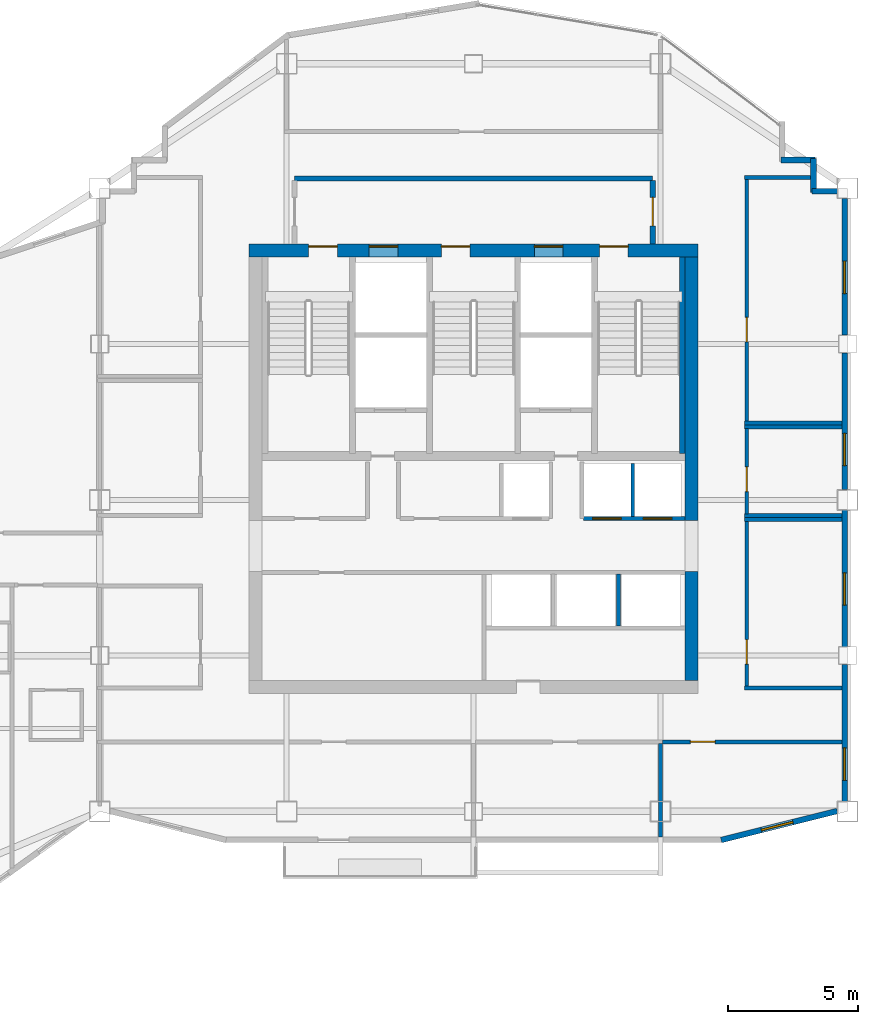
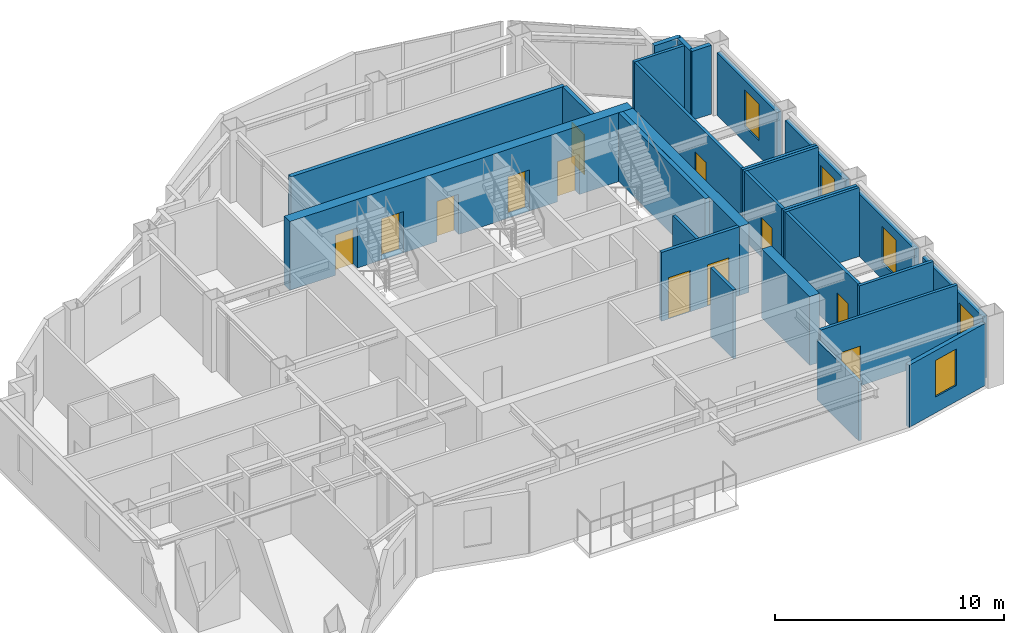
# One storey, part 7 of 10: 28 walls, 12 doors, 5 windows, 17 openings.
"""IFC4 building model written with IfcOpenShell, lengths in metres."""

import ifcopenshell
import ifcopenshell.guid

model = None  # the IFC model being written
_history = None  # IfcOwnerHistory: only IFC2X3 demands one
_inside = {}  # id of a spatial element -> (the spatial element, [elements in it])
_under = {}  # id of a project, library or spatial element -> (it, [spatial elements below it])
_declared = {}  # id of a project -> (the project, [libraries it declares])
_typed = {}  # id of a type object -> (the type object, [elements of that type])
_made_of = {}  # id of a material, layer set ... -> (it, [elements and type objects made of it])


def new_model(schema):
    """Start an empty IFC model of exactly this schema.

    Asked for "IFC4X3", IfcOpenShell would pick the latest addendum, in which some entities
    have other attributes; the version numbers below select the first issue.
    IFC2X3 requires an IfcOwnerHistory on every rooted entity: one is made here for all.
    """
    global model, _history
    if schema == "IFC4X3":
        model = ifcopenshell.file(schema_version=(4, 3, 0, 0))
    else:
        model = ifcopenshell.file(schema=schema)
    _inside.clear()
    _under.clear()
    _declared.clear()
    _typed.clear()
    _made_of.clear()
    _history = None
    if model.schema == "IFC2X3":
        org = make("IfcOrganization", Name="unknown")
        user = make(
            "IfcPersonAndOrganization",
            ThePerson=make("IfcPerson", FamilyName="unknown"),
            TheOrganization=org,
        )
        app = make(
            "IfcApplication",
            ApplicationDeveloper=org,
            Version="unknown",
            ApplicationFullName="unknown",
            ApplicationIdentifier="unknown",
        )
        _history = make(
            "IfcOwnerHistory",
            OwningUser=user,
            OwningApplication=app,
            ChangeAction="ADDED",
            CreationDate=0,
        )
    return model


def make(cls, **values):
    """One entity of the class cls with the attributes given. An attribute that is None is left unset."""
    return model.create_entity(
        cls, **{name: value for name, value in values.items() if value is not None}
    )


def rooted(cls, **values):
    """An entity with a GlobalId (a new one), such as an element, a storey or a relation."""
    return make(cls, GlobalId=ifcopenshell.guid.new(), OwnerHistory=_history, **values)


def si_unit(unit_type, name, prefix=None):
    """IfcSIUnit, for example si_unit("LENGTHUNIT", "METRE", prefix="MILLI")."""
    return make("IfcSIUnit", UnitType=unit_type, Prefix=prefix, Name=name)


def assignment(units):
    """IfcUnitAssignment: the units of a project."""
    return None if units is None else make("IfcUnitAssignment", Units=units)


def point(xyz):
    """IfcCartesianPoint."""
    return None if xyz is None else make("IfcCartesianPoint", Coordinates=xyz)


def direction(xyz):
    """IfcDirection."""
    return None if xyz is None else make("IfcDirection", DirectionRatios=xyz)


def frame(location, z_axis=None, x_axis=None):
    """IfcAxis2Placement3D, a coordinate frame: its origin and axes. An axis left out is left unset."""
    return make(
        "IfcAxis2Placement3D",
        Location=point(location),
        Axis=direction(z_axis),
        RefDirection=direction(x_axis),
    )


def frame_2d(location, x_axis=None):
    """IfcAxis2Placement2D, a coordinate frame in the plane: its origin and x axis."""
    return make(
        "IfcAxis2Placement2D", Location=point(location), RefDirection=direction(x_axis)
    )


def origin():
    """The frame at (0, 0, 0) with its axes left unset."""
    return frame((0.0, 0.0, 0.0))


def place(relative_to, where):
    """IfcLocalPlacement: puts the frame where relative to a parent placement (None: the world)."""
    return make(
        "IfcLocalPlacement", PlacementRelTo=relative_to, RelativePlacement=where
    )


def context(
    kind, dimensions, precision=None, world=None, true_north=None, identifier=None
):
    """IfcGeometricRepresentationContext, for example the 3D "Model" context."""
    return make(
        "IfcGeometricRepresentationContext",
        ContextIdentifier=identifier,
        ContextType=kind,
        CoordinateSpaceDimension=dimensions,
        Precision=precision,
        WorldCoordinateSystem=world,
        TrueNorth=true_north,
    )


def subcontext(parent, identifier, kind, view, scale=None):
    """IfcGeometricRepresentationSubContext, for example "Body" below "Model"."""
    return make(
        "IfcGeometricRepresentationSubContext",
        ContextIdentifier=identifier,
        ContextType=kind,
        ParentContext=parent,
        TargetScale=scale,
        TargetView=view,
    )


def project(units=None, contexts=None):
    """IfcProject with its units and contexts."""
    return rooted(
        "IfcProject",
        Name="project",
        RepresentationContexts=contexts,
        UnitsInContext=assignment(units),
    )


def spatial(cls, under=None, at=None, **own):
    """A site, building, storey or space (cls), placed at a placement, below another one or the project."""
    s = rooted(cls, ObjectPlacement=at, **own)
    if under is not None:
        _under.setdefault(under.id(), (under, []))[1].append(s)
    return s


def profile(cls, at=None, kind="AREA", **sizes):
    """A parametric profile (cls). Its sizes go by their IFC names, for example OverallWidth=200.0."""
    return make(cls, ProfileType=kind, Position=at, **sizes)


def rectangle(**sizes):
    """IfcRectangleProfileDef."""
    return profile("IfcRectangleProfileDef", **sizes)


def extrude(swept, where, along, depth):
    """IfcExtrudedAreaSolid: the profile swept, set in the frame where, extruded along a direction by depth."""
    return make(
        "IfcExtrudedAreaSolid",
        SweptArea=swept,
        Position=where,
        ExtrudedDirection=direction(along),
        Depth=depth,
    )


def shape(context_of_items, identifier, shape_type, items):
    """IfcShapeRepresentation: the items that make up one representation, for example the "Body"."""
    return make(
        "IfcShapeRepresentation",
        ContextOfItems=context_of_items,
        RepresentationIdentifier=identifier,
        RepresentationType=shape_type,
        Items=items,
    )


def material(Name=None, Category=None):
    """IfcMaterial."""
    return make("IfcMaterial", Name=Name, Category=Category)


def layer(
    of_material, thickness, ventilated=None, Name=None, Category=None, Priority=None
):
    """IfcMaterialLayer: one layer of a wall or slab, of a material (None: an air gap)."""
    return make(
        "IfcMaterialLayer",
        Material=of_material,
        LayerThickness=thickness,
        IsVentilated=ventilated,
        Name=Name,
        Category=Category,
        Priority=Priority,
    )


def layer_set(layers, Name=None):
    """IfcMaterialLayerSet."""
    return make("IfcMaterialLayerSet", MaterialLayers=layers, LayerSetName=Name)


def made_of(thing, what):
    """Note that an element or type object is made of a material, layer set ...; save() writes the relation."""
    if what is not None:
        _made_of.setdefault(what.id(), (what, []))[1].append(thing)
    return thing


def type_object(cls, material=None, **own):
    """A type object (cls), such as IfcWallType, which elements share."""
    return made_of(rooted(cls, **own), material)


def element(
    cls,
    number,
    at=None,
    inside=None,
    cuts=None,
    type_object=None,
    material=None,
    context=None,
    identifier="Body",
    shape_type=None,
    held_by="IfcProductDefinitionShape",
    body=None,
    shapes=None,
    **own,
):
    """One element of the class cls, such as IfcWall. Its Tag is "e" and its number.

    at: its placement. inside: the storey or other place that contains it. cuts: it is an
    opening in that element (IfcRelVoidsElement). A single representation is given by context,
    identifier, shape_type and body (its items); several are given by shapes. held_by: the class
    of the entity that holds the representations. save() writes the other relations.
    """
    e = rooted(cls, Tag="e%d" % number, ObjectPlacement=at, **own)
    if body is not None:
        shapes = [shape(context, identifier, shape_type, body)]
    if shapes is not None:
        e.Representation = make(held_by, Representations=shapes)
    if inside is not None:
        _inside.setdefault(inside.id(), (inside, []))[1].append(e)
    if cuts is not None:
        rooted(
            "IfcRelVoidsElement", RelatingBuildingElement=cuts, RelatedOpeningElement=e
        )
    if type_object is not None:
        _typed.setdefault(type_object.id(), (type_object, []))[1].append(e)
    return made_of(e, material)


def fill(opening, filler):
    """IfcRelFillsElement: the door or window that sits in an opening."""
    return rooted(
        "IfcRelFillsElement",
        RelatingOpeningElement=opening,
        RelatedBuildingElement=filler,
    )


def aggregate(whole, parts):
    """IfcRelAggregates: a whole, such as a stair, and the parts it consists of."""
    return rooted("IfcRelAggregates", RelatingObject=whole, RelatedObjects=parts)


def save(model, path):
    """Write the relations noted so far, then the file.

    IfcRelAggregates (storeys below a building ...), IfcRelContainedInSpatialStructure (elements
    in a storey), IfcRelDefinesByType, IfcRelAssociatesMaterial and IfcRelDeclares: one each for
    every whole, place, type object, material and project.
    """
    for whole, parts in _under.values():
        aggregate(whole, parts)
    for where, things in _inside.values():
        rooted(
            "IfcRelContainedInSpatialStructure",
            RelatedElements=things,
            RelatingStructure=where,
        )
    for kind, things in _typed.values():
        rooted("IfcRelDefinesByType", RelatedObjects=things, RelatingType=kind)
    for what, things in _made_of.values():
        rooted("IfcRelAssociatesMaterial", RelatedObjects=things, RelatingMaterial=what)
    for by, libraries in _declared.values():
        rooted("IfcRelDeclares", RelatingContext=by, RelatedDefinitions=libraries)
    model.write(path)


model = new_model("IFC4")

# Units and contexts
model_context = context("Model", 3, precision=1e-05, world=origin(), true_north=direction((0.0, 1.0)))
body_context = subcontext(model_context, "Body", "Model", "MODEL_VIEW")
ifc_project = project(units=[si_unit("LENGTHUNIT", "METRE"), si_unit("AREAUNIT", "SQUARE_METRE"), si_unit("VOLUMEUNIT", "CUBIC_METRE"), si_unit("PLANEANGLEUNIT", "RADIAN"), si_unit("MASSUNIT", "GRAM", prefix="KILO")], contexts=[model_context])

# Site, building, storey
site_placement = place(None, origin())
site = spatial("IfcSite", under=ifc_project, at=site_placement, CompositionType="ELEMENT")
building_placement = place(site_placement, origin())
building = spatial("IfcBuilding", under=site, at=building_placement, Name="Haolan Belvedere Tower", CompositionType="ELEMENT")
storey_placement = place(building_placement, frame((0.0, 0.0, 266.0)))
storey = spatial("IfcBuildingStorey", under=building, at=storey_placement, Name="L67", CompositionType="ELEMENT", Elevation=266.0)

# Wall, openings, doors
ifc_material_1 = material(Name="Concrete C50/60", Category="concrete")
ifc_layer_1 = layer(ifc_material_1, 0.5, Name="Concrete C50/60")
ifc_layer_set_1 = layer_set([ifc_layer_1], Name="Concrete C50/60")
wall_type_1 = type_object("IfcWallType", Name="WL-CORE-500", PredefinedType="SHEAR", material=ifc_layer_set_1)
wall_1_placement = place(storey_placement, frame((29.75, 43.199951171875, 0.0), z_axis=(0.0, 0.0, 1.0), x_axis=(1.0, 0.0, 0.0)))
wall_1 = element("IfcWall", 1, at=wall_1_placement, inside=storey, type_object=wall_type_1, Name="L67 central core north shear wall", PredefinedType="SHEAR", context=body_context, shape_type="SweptSolid", body=[
    extrude(rectangle(XDim=17.300048828125, YDim=0.5, at=frame_2d((8.64990234375, 0.0))), origin(), (0.0, 0.0, 1.0), 3.669921875),
])
opening_1_placement = place(wall_1_placement, frame((2.300048828125, 0.0, 0.0)))
opening_1 = element("IfcOpeningElement", 2, at=opening_1_placement, cuts=wall_1, Name="Opening FD-03", PredefinedType="OPENING", context=body_context, shape_type="SweptSolid", body=[
    extrude(rectangle(XDim=1.10009765625, YDim=2.14990234375, at=frame_2d((0.550048828125, 1.074951171875))), frame((0.0, 0.260009765625, 0.0), z_axis=(0.0, -1.0, 0.0), x_axis=(1.0, 0.0, 0.0)), (0.0, 0.0, 1.0), 0.52001953125),
])
opening_2_placement = place(wall_1_placement, frame((7.409912109375, 0.0, 0.0)))
opening_2 = element("IfcOpeningElement", 3, at=opening_2_placement, cuts=wall_1, Name="Opening FD-03", PredefinedType="OPENING", context=body_context, shape_type="SweptSolid", body=[
    extrude(rectangle(XDim=1.10009765625, YDim=2.14990234375, at=frame_2d((0.550048828125, 1.074951171875))), frame((0.0, 0.260009765625, 0.0), z_axis=(0.0, -1.0, 0.0), x_axis=(1.0, 0.0, 0.0)), (0.0, 0.0, 1.0), 0.52001953125),
])
opening_3_placement = place(wall_1_placement, frame((13.5, 0.0, 0.0)))
opening_3 = element("IfcOpeningElement", 4, at=opening_3_placement, cuts=wall_1, Name="Opening FD-03", PredefinedType="OPENING", context=body_context, shape_type="SweptSolid", body=[
    extrude(rectangle(XDim=1.10009765625, YDim=2.14990234375, at=frame_2d((0.550048828125, 1.074951171875))), frame((0.0, 0.260009765625, 0.0), z_axis=(0.0, -1.0, 0.0), x_axis=(1.0, 0.0, 0.0)), (0.0, 0.0, 1.0), 0.52001953125),
])
opening_4_placement = place(wall_1_placement, frame((4.6298828125, 0.0, 0.0)))
opening_4 = element("IfcOpeningElement", 5, at=opening_4_placement, cuts=wall_1, Name="Opening LD-01", PredefinedType="OPENING", context=body_context, shape_type="SweptSolid", body=[
    extrude(rectangle(XDim=1.10009765625, YDim=2.199951171875, at=frame_2d((0.550048828125, 1.10009765625))), frame((0.0, 0.260009765625, 0.0), z_axis=(0.0, -1.0, 0.0), x_axis=(1.0, 0.0, 0.0)), (0.0, 0.0, 1.0), 0.52001953125),
])
opening_5_placement = place(wall_1_placement, frame((10.989990234375, 0.0, 0.0)))
opening_5 = element("IfcOpeningElement", 6, at=opening_5_placement, cuts=wall_1, Name="Opening LD-01", PredefinedType="OPENING", context=body_context, shape_type="SweptSolid", body=[
    extrude(rectangle(XDim=1.10009765625, YDim=2.199951171875, at=frame_2d((0.550048828125, 1.10009765625))), frame((0.0, 0.260009765625, 0.0), z_axis=(0.0, -1.0, 0.0), x_axis=(1.0, 0.0, 0.0)), (0.0, 0.0, 1.0), 0.52001953125),
])
ifc_material_2 = material(Name="Galvanised fire-rated steel", Category="steel")
door_type_1 = type_object("IfcDoorType", Name="DR-FD90-1100", OperationType="NOTDEFINED", PredefinedType="DOOR", material=ifc_material_2)
door_1_placement = place(opening_1_placement, origin())
door_1 = element("IfcDoor", 7, at=door_1_placement, inside=storey, type_object=door_type_1, Name="L67 door CD-L67-ST1", OperationType="SINGLE_SWING_LEFT", OverallHeight=2.14990234375, OverallWidth=1.10009765625, PredefinedType="DOOR", context=body_context, shape_type="SweptSolid", body=[
    extrude(rectangle(XDim=1.10009765625, YDim=2.14990234375, at=frame_2d((0.550048828125, 1.074951171875))), frame((0.0, 0.18505859375, 0.0), z_axis=(0.0, -1.0, 0.0), x_axis=(1.0, 0.0, 0.0)), (0.0, 0.0, 1.0), 0.050048828125),
])
fill(opening_1, door_1)
door_2_placement = place(opening_2_placement, origin())
door_2 = element("IfcDoor", 8, at=door_2_placement, inside=storey, type_object=door_type_1, Name="L67 door CD-L67-ST3", OperationType="SINGLE_SWING_LEFT", OverallHeight=2.14990234375, OverallWidth=1.10009765625, PredefinedType="DOOR", context=body_context, shape_type="SweptSolid", body=[
    extrude(rectangle(XDim=1.10009765625, YDim=2.14990234375, at=frame_2d((0.550048828125, 1.074951171875))), frame((0.0, 0.18505859375, 0.0), z_axis=(0.0, -1.0, 0.0), x_axis=(1.0, 0.0, 0.0)), (0.0, 0.0, 1.0), 0.050048828125),
])
fill(opening_2, door_2)
door_3_placement = place(opening_3_placement, origin())
door_3 = element("IfcDoor", 9, at=door_3_placement, inside=storey, type_object=door_type_1, Name="L67 door CD-L67-ST2", OperationType="SINGLE_SWING_RIGHT", OverallHeight=2.14990234375, OverallWidth=1.10009765625, PredefinedType="DOOR", context=body_context, shape_type="SweptSolid", body=[
    extrude(rectangle(XDim=1.10009765625, YDim=2.14990234375, at=frame_2d((0.550048828125, 1.074951171875))), frame((0.0, 0.18505859375, 0.0), z_axis=(0.0, -1.0, 0.0), x_axis=(1.0, 0.0, 0.0)), (0.0, 0.0, 1.0), 0.050048828125),
])
fill(opening_3, door_3)
ifc_material_3 = material(Name="Brushed champagne stainless steel 316L", Category="steel")
door_type_2 = type_object("IfcDoorType", Name="DR-LIFT-1100", OperationType="SLIDING_TO_LEFT", PredefinedType="DOOR", material=ifc_material_3)
door_4_placement = place(opening_4_placement, origin())
door_4 = element("IfcDoor", 10, at=door_4_placement, inside=storey, type_object=door_type_2, Name="L67 door LD-L67-FF1", OperationType="SLIDING_TO_LEFT", OverallHeight=2.199951171875, OverallWidth=1.10009765625, PredefinedType="DOOR", context=body_context, shape_type="SweptSolid", body=[
    extrude(rectangle(XDim=1.10009765625, YDim=2.199951171875, at=frame_2d((0.550048828125, 1.10009765625))), frame((0.0, 0.18505859375, 0.0), z_axis=(0.0, -1.0, 0.0), x_axis=(1.0, 0.0, 0.0)), (0.0, 0.0, 1.0), 0.050048828125),
])
fill(opening_4, door_4)
door_5_placement = place(opening_5_placement, origin())
door_5 = element("IfcDoor", 11, at=door_5_placement, inside=storey, type_object=door_type_2, Name="L67 door LD-L67-FF2", OperationType="SLIDING_TO_LEFT", OverallHeight=2.199951171875, OverallWidth=1.10009765625, PredefinedType="DOOR", context=body_context, shape_type="SweptSolid", body=[
    extrude(rectangle(XDim=1.10009765625, YDim=2.199951171875, at=frame_2d((0.550048828125, 1.10009765625))), frame((0.0, 0.18505859375, 0.0), z_axis=(0.0, -1.0, 0.0), x_axis=(1.0, 0.0, 0.0)), (0.0, 0.0, 1.0), 0.050048828125),
])
fill(opening_5, door_5)

# Walls
wall_2_placement = place(storey_placement, frame((46.800048828125, 26.64990234375, 0.0), z_axis=(0.0, 0.0, 1.0), x_axis=(0.0, 1.0, 0.0)))
element("IfcWall", 12, at=wall_2_placement, inside=storey, type_object=wall_type_1, Name="L67 central core shear wall ES", PredefinedType="SHEAR", context=body_context, shape_type="SweptSolid", body=[
    extrude(rectangle(XDim=4.2001953125, YDim=0.5, at=frame_2d((2.10009765625, 0.0))), origin(), (0.0, 0.0, 1.0), 3.669921875),
])
wall_3_placement = place(storey_placement, frame((46.800048828125, 32.800048828125, 0.0), z_axis=(0.0, 0.0, 1.0), x_axis=(0.0, 1.0, 0.0)))
element("IfcWall", 13, at=wall_3_placement, inside=storey, type_object=wall_type_1, Name="L67 central core shear wall EN", PredefinedType="SHEAR", context=body_context, shape_type="SweptSolid", body=[
    extrude(rectangle(XDim=10.14990234375, YDim=0.5, at=frame_2d((5.074951171875, 0.0))), origin(), (0.0, 0.0, 1.0), 3.669921875),
])

# Wall, opening, window
ifc_material_4 = material(Name="Precast concrete C40/50", Category="concrete")
ifc_layer_2 = layer(ifc_material_4, 0.219970703125, Name="Precast concrete C40/50")
ifc_layer_set_2 = layer_set([ifc_layer_2], Name="Precast concrete C40/50")
wall_type_2 = type_object("IfcWallType", Name="WL-EXT-220", PredefinedType="SOLIDWALL", material=ifc_layer_set_2)
wall_4_placement = place(storey_placement, frame((47.93310546875, 20.49658203125, 0.0), z_axis=(0.0, 0.0, 1.0), x_axis=(0.970133159038, 0.242572986408, 0.0)))
wall_4 = element("IfcWall", 14, at=wall_4_placement, inside=storey, type_object=wall_type_2, Name="L67 pale-metal exterior spandrel wall 2.1", PredefinedType="SOLIDWALL", context=body_context, shape_type="SweptSolid", body=[
    extrude(rectangle(XDim=4.612548828125, YDim=0.219970703125, at=frame_2d((2.30615234375, 0.0))), origin(), (0.0, 0.0, 1.0), 3.31494140625),
])
opening_6_placement = place(wall_4_placement, frame((1.60009765625, 0.0, 0.85009765625)))
opening_6 = element("IfcOpeningElement", 15, at=opening_6_placement, cuts=wall_4, Name="Opening W-04", PredefinedType="OPENING", context=body_context, shape_type="SweptSolid", body=[
    extrude(rectangle(XDim=1.25, YDim=1.949951171875, at=frame_2d((0.625, 0.97509765625))), frame((0.0, 0.119873046875, 0.0), z_axis=(0.0, -1.0, 0.0), x_axis=(1.0, 0.0, 0.0)), (0.0, 0.0, 1.0), 0.239990234375),
])
ifc_material_5 = material(Name="Anodised aluminium 6063-T6 and Low-E glass", Category="aluminium")
window_type = type_object("IfcWindowType", Name="WN-DECO-Z4", PartitioningType="SINGLE_PANEL", PredefinedType="WINDOW", material=ifc_material_5)
window_1_placement = place(opening_6_placement, origin())
window_1 = element("IfcWindow", 16, at=window_1_placement, inside=storey, type_object=window_type, Name="L67 Art Deco chevron window 1", OverallHeight=1.949951171875, OverallWidth=1.25, PartitioningType="SINGLE_PANEL", PredefinedType="WINDOW", context=body_context, shape_type="SweptSolid", body=[
    extrude(rectangle(XDim=1.25, YDim=1.949951171875, at=frame_2d((0.625, 0.97509765625))), frame((0.0, 0.030029296875, 0.0), z_axis=(0.0, -1.0, 0.0), x_axis=(1.0, 0.0, 0.0)), (0.0, 0.0, 1.0), 0.06005859375),
])
fill(opening_6, window_1)

wall_5_placement = place(storey_placement, frame((52.68994140625, 21.991943359375, 0.0), z_axis=(0.0, 0.0, 1.0), x_axis=(0.0, 1.0, 0.0)))
wall_5 = element("IfcWall", 17, at=wall_5_placement, inside=storey, type_object=wall_type_2, Name="L67 pale-metal exterior spandrel wall 3.1", PredefinedType="SOLIDWALL", context=body_context, shape_type="SweptSolid", body=[
    extrude(rectangle(XDim=5.26611328125, YDim=0.219970703125, at=frame_2d((2.633056640625, 0.0))), origin(), (0.0, 0.0, 1.0), 3.31494140625),
])
opening_7_placement = place(wall_5_placement, frame((0.802978515625, 0.0, 0.85009765625)))
opening_7 = element("IfcOpeningElement", 18, at=opening_7_placement, cuts=wall_5, Name="Opening W-04", PredefinedType="OPENING", context=body_context, shape_type="SweptSolid", body=[
    extrude(rectangle(XDim=1.25, YDim=1.949951171875, at=frame_2d((0.625, 0.97509765625))), frame((0.0, 0.119873046875, 0.0), z_axis=(0.0, -1.0, 0.0), x_axis=(1.0, 0.0, 0.0)), (0.0, 0.0, 1.0), 0.239990234375),
])
window_2_placement = place(opening_7_placement, origin())
window_2 = element("IfcWindow", 19, at=window_2_placement, inside=storey, type_object=window_type, Name="L67 Art Deco chevron window 1", OverallHeight=1.949951171875, OverallWidth=1.25, PartitioningType="SINGLE_PANEL", PredefinedType="WINDOW", context=body_context, shape_type="SweptSolid", body=[
    extrude(rectangle(XDim=1.25, YDim=1.949951171875, at=frame_2d((0.625, 0.97509765625))), frame((0.0, 0.030029296875, 0.0), z_axis=(0.0, -1.0, 0.0), x_axis=(1.0, 0.0, 0.0)), (0.0, 0.0, 1.0), 0.06005859375),
])
fill(opening_7, window_2)

wall_6_placement = place(storey_placement, frame((52.68994140625, 27.94189453125, 0.0), z_axis=(0.0, 0.0, 1.0), x_axis=(0.0, 1.0, 0.0)))
wall_6 = element("IfcWall", 20, at=wall_6_placement, inside=storey, type_object=wall_type_2, Name="L67 pale-metal exterior spandrel wall 3.2", PredefinedType="SOLIDWALL", context=body_context, shape_type="SweptSolid", body=[
    extrude(rectangle(XDim=5.26611328125, YDim=0.219970703125, at=frame_2d((2.633056640625, 0.0))), origin(), (0.0, 0.0, 1.0), 3.31494140625),
])
opening_8_placement = place(wall_6_placement, frame((1.60009765625, 0.0, 0.85009765625)))
opening_8 = element("IfcOpeningElement", 21, at=opening_8_placement, cuts=wall_6, Name="Opening W-04", PredefinedType="OPENING", context=body_context, shape_type="SweptSolid", body=[
    extrude(rectangle(XDim=1.25, YDim=1.949951171875, at=frame_2d((0.625, 0.97509765625))), frame((0.0, 0.119873046875, 0.0), z_axis=(0.0, -1.0, 0.0), x_axis=(1.0, 0.0, 0.0)), (0.0, 0.0, 1.0), 0.239990234375),
])
window_3_placement = place(opening_8_placement, origin())
window_3 = element("IfcWindow", 22, at=window_3_placement, inside=storey, type_object=window_type, Name="L67 Art Deco chevron window 1", OverallHeight=1.949951171875, OverallWidth=1.25, PartitioningType="SINGLE_PANEL", PredefinedType="WINDOW", context=body_context, shape_type="SweptSolid", body=[
    extrude(rectangle(XDim=1.25, YDim=1.949951171875, at=frame_2d((0.625, 0.97509765625))), frame((0.0, 0.030029296875, 0.0), z_axis=(0.0, -1.0, 0.0), x_axis=(1.0, 0.0, 0.0)), (0.0, 0.0, 1.0), 0.06005859375),
])
fill(opening_8, window_3)

wall_7_placement = place(storey_placement, frame((52.68994140625, 33.991943359375, 0.0), z_axis=(0.0, 0.0, 1.0), x_axis=(0.0, 1.0, 0.0)))
wall_7 = element("IfcWall", 23, at=wall_7_placement, inside=storey, type_object=wall_type_2, Name="L67 pale-metal exterior spandrel wall 3.3", PredefinedType="SOLIDWALL", context=body_context, shape_type="SweptSolid", body=[
    extrude(rectangle(XDim=5.26611328125, YDim=0.219970703125, at=frame_2d((2.633056640625, 0.0))), origin(), (0.0, 0.0, 1.0), 3.31494140625),
])
opening_9_placement = place(wall_7_placement, frame((0.923095703125, 0.0, 0.85009765625)))
opening_9 = element("IfcOpeningElement", 24, at=opening_9_placement, cuts=wall_7, Name="Opening W-04", PredefinedType="OPENING", context=body_context, shape_type="SweptSolid", body=[
    extrude(rectangle(XDim=1.25, YDim=1.949951171875, at=frame_2d((0.625, 0.97509765625))), frame((0.0, 0.119873046875, 0.0), z_axis=(0.0, -1.0, 0.0), x_axis=(1.0, 0.0, 0.0)), (0.0, 0.0, 1.0), 0.239990234375),
])
window_4_placement = place(opening_9_placement, origin())
window_4 = element("IfcWindow", 25, at=window_4_placement, inside=storey, type_object=window_type, Name="L67 Art Deco chevron window 1", OverallHeight=1.949951171875, OverallWidth=1.25, PartitioningType="SINGLE_PANEL", PredefinedType="WINDOW", context=body_context, shape_type="SweptSolid", body=[
    extrude(rectangle(XDim=1.25, YDim=1.949951171875, at=frame_2d((0.625, 0.97509765625))), frame((0.0, 0.030029296875, 0.0), z_axis=(0.0, -1.0, 0.0), x_axis=(1.0, 0.0, 0.0)), (0.0, 0.0, 1.0), 0.06005859375),
])
fill(opening_9, window_4)

wall_8_placement = place(storey_placement, frame((52.68994140625, 39.94189453125, 0.0), z_axis=(0.0, 0.0, 1.0), x_axis=(0.0, 1.0, 0.0)))
wall_8 = element("IfcWall", 26, at=wall_8_placement, inside=storey, type_object=wall_type_2, Name="L67 pale-metal exterior spandrel wall 3.4", PredefinedType="SOLIDWALL", context=body_context, shape_type="SweptSolid", body=[
    extrude(rectangle(XDim=5.26611328125, YDim=0.219970703125, at=frame_2d((2.633056640625, 0.0))), origin(), (0.0, 0.0, 1.0), 3.31494140625),
])
opening_10_placement = place(wall_8_placement, frame((1.60009765625, 0.0, 0.85009765625)))
opening_10 = element("IfcOpeningElement", 27, at=opening_10_placement, cuts=wall_8, Name="Opening W-04", PredefinedType="OPENING", context=body_context, shape_type="SweptSolid", body=[
    extrude(rectangle(XDim=1.25, YDim=1.949951171875, at=frame_2d((0.625, 0.97509765625))), frame((0.0, 0.119873046875, 0.0), z_axis=(0.0, -1.0, 0.0), x_axis=(1.0, 0.0, 0.0)), (0.0, 0.0, 1.0), 0.239990234375),
])
window_5_placement = place(opening_10_placement, origin())
window_5 = element("IfcWindow", 28, at=window_5_placement, inside=storey, type_object=window_type, Name="L67 Art Deco chevron window 1", OverallHeight=1.949951171875, OverallWidth=1.25, PartitioningType="SINGLE_PANEL", PredefinedType="WINDOW", context=body_context, shape_type="SweptSolid", body=[
    extrude(rectangle(XDim=1.25, YDim=1.949951171875, at=frame_2d((0.625, 0.97509765625))), frame((0.0, 0.030029296875, 0.0), z_axis=(0.0, -1.0, 0.0), x_axis=(1.0, 0.0, 0.0)), (0.0, 0.0, 1.0), 0.06005859375),
])
fill(opening_10, window_5)

# Walls
wall_9_placement = place(storey_placement, frame((52.407958984375, 45.489990234375, 0.0), z_axis=(0.0, 0.0, 1.0), x_axis=(-1.0, 0.0, 0.0)))
element("IfcWall", 29, at=wall_9_placement, inside=storey, type_object=wall_type_2, Name="L67 pale-metal exterior spandrel wall 4.1", PredefinedType="SOLIDWALL", context=body_context, shape_type="SweptSolid", body=[
    extrude(rectangle(XDim=0.972900390625, YDim=0.219970703125, at=frame_2d((0.486328125, 0.0))), origin(), (0.0, 0.0, 1.0), 3.669921875),
])
wall_10_placement = place(storey_placement, frame((51.489990234375, 45.43505859375, 0.0), z_axis=(0.0, 0.0, 1.0), x_axis=(0.0, 1.0, 0.0)))
element("IfcWall", 30, at=wall_10_placement, inside=storey, type_object=wall_type_2, Name="L67 pale-metal exterior spandrel wall 5.1", PredefinedType="SOLIDWALL", context=body_context, shape_type="SweptSolid", body=[
    extrude(rectangle(XDim=1.31005859375, YDim=0.219970703125, at=frame_2d((0.655029296875, 0.0))), origin(), (0.0, 0.0, 1.0), 3.669921875),
])
wall_11_placement = place(storey_placement, frame((51.544921875, 46.68994140625, 0.0), z_axis=(0.0, 0.0, 1.0), x_axis=(-1.0, 0.0, 0.0)))
element("IfcWall", 31, at=wall_11_placement, inside=storey, type_object=wall_type_2, Name="L67 pale-metal exterior spandrel wall 6.1", PredefinedType="SOLIDWALL", context=body_context, shape_type="SweptSolid", body=[
    extrude(rectangle(XDim=1.309814453125, YDim=0.219970703125, at=frame_2d((0.65478515625, 0.0))), origin(), (0.0, 0.0, 1.0), 3.669921875),
])
ifc_material_6 = material(Name="Concrete C40/50", Category="concrete")
ifc_layer_3 = layer(ifc_material_6, 0.199951171875, Name="Concrete C40/50")
ifc_layer_set_3 = layer_set([ifc_layer_3], Name="Concrete C40/50")
wall_type_3 = type_object("IfcWallType", Name="WL-FIRE-200", PredefinedType="SOLIDWALL", material=ifc_layer_set_3)
wall_12_placement = place(storey_placement, frame((31.5, 45.97998046875, 0.0), z_axis=(0.0, 0.0, 1.0), x_axis=(1.0, 0.0, 0.0)))
element("IfcWall", 32, at=wall_12_placement, inside=storey, type_object=wall_type_3, Name="L67 interior partition IW-L67-FFL-N", PredefinedType="SOLIDWALL", context=body_context, shape_type="SweptSolid", body=[
    extrude(rectangle(XDim=13.800048828125, YDim=0.199951171875, at=frame_2d((6.89990234375, 0.0))), origin(), (0.0, 0.0, 1.0), 3.669921875),
])

# Wall, opening, door
wall_13_placement = place(storey_placement, frame((45.300048828125, 43.449951171875, 0.0), z_axis=(0.0, 0.0, 1.0), x_axis=(0.0, 1.0, 0.0)))
wall_13 = element("IfcWall", 33, at=wall_13_placement, inside=storey, type_object=wall_type_3, Name="L67 interior partition IW-L67-FFL-E", PredefinedType="SOLIDWALL", context=body_context, shape_type="SweptSolid", body=[
    extrude(rectangle(XDim=2.445068359375, YDim=0.199951171875, at=frame_2d((1.22265625, 0.0))), origin(), (0.0, 0.0, 1.0), 3.669921875),
])
opening_11_placement = place(wall_13_placement, frame((0.699951171875, 0.0, 0.0)))
opening_11 = element("IfcOpeningElement", 34, at=opening_11_placement, cuts=wall_13, Name="Opening FD-03", PredefinedType="OPENING", context=body_context, shape_type="SweptSolid", body=[
    extrude(rectangle(XDim=1.10009765625, YDim=2.14990234375, at=frame_2d((0.550048828125, 1.074951171875))), frame((0.0, 0.10986328125, 0.0), z_axis=(0.0, -1.0, 0.0), x_axis=(1.0, 0.0, 0.0)), (0.0, 0.0, 1.0), 0.219970703125),
])
door_6_placement = place(opening_11_placement, origin())
door_6 = element("IfcDoor", 35, at=door_6_placement, inside=storey, type_object=door_type_1, Name="L67 door ID-L67-FFL-DE", OperationType="SINGLE_SWING_RIGHT", OverallHeight=2.14990234375, OverallWidth=1.10009765625, PredefinedType="DOOR", context=body_context, shape_type="SweptSolid", body=[
    extrude(rectangle(XDim=1.10009765625, YDim=2.14990234375, at=frame_2d((0.550048828125, 1.074951171875))), frame((0.0, 0.02490234375, 0.0), z_axis=(0.0, -1.0, 0.0), x_axis=(1.0, 0.0, 0.0)), (0.0, 0.0, 1.0), 0.050048828125),
])
fill(opening_11, door_6)

# Walls
ifc_material_7 = material(Name="Double gypsum acoustic stud partition", Category="masonry")
ifc_layer_4 = layer(ifc_material_7, 0.14990234375, Name="Double gypsum acoustic stud partition")
ifc_layer_set_4 = layer_set([ifc_layer_4], Name="Double gypsum acoustic stud partition")
wall_type_4 = type_object("IfcWallType", Name="WL-PART-150", PredefinedType="PARTITIONING", material=ifc_layer_set_4)
for number, where, z_axis, x_axis, name in (
    (36, (48.840087890625, 36.39990234375, 0.0), (0.0, 0.0, 1.0), (1.0, 0.0, 0.0), "L67 interior partition IW-L67-AWC-N"),
    (37, (48.840087890625, 33.0, 0.0), (0.0, 0.0, 1.0), (1.0, 0.0, 0.0), "L67 interior partition IW-L67-AWC-S"),
):
    element("IfcWall", number, at=place(storey_placement, frame(where, z_axis=z_axis, x_axis=x_axis)), inside=storey, type_object=wall_type_4, Name=name, PredefinedType="PARTITIONING", context=body_context, shape_type="SweptSolid", body=[
        extrude(rectangle(XDim=3.747802734375, YDim=0.14990234375, at=frame_2d((1.8740234375, 0.0))), origin(), (0.0, 0.0, 1.0), 3.669921875),
    ])

# Wall, opening, door
wall_14_placement = place(storey_placement, frame((48.919921875, 33.06005859375, 0.0), z_axis=(0.0, 0.0, 1.0), x_axis=(0.0, 1.0, 0.0)))
wall_14 = element("IfcWall", 38, at=wall_14_placement, inside=storey, type_object=wall_type_4, Name="L67 interior partition IW-L67-AWC-W", PredefinedType="PARTITIONING", context=body_context, shape_type="SweptSolid", body=[
    extrude(rectangle(XDim=3.280029296875, YDim=0.14990234375, at=frame_2d((1.64013671875, 0.0))), origin(), (0.0, 0.0, 1.0), 3.669921875),
])
opening_12_placement = place(wall_14_placement, frame((0.860107421875, 0.0, 0.0)))
opening_12 = element("IfcOpeningElement", 39, at=opening_12_placement, cuts=wall_14, Name="Opening ID-03", PredefinedType="OPENING", context=body_context, shape_type="SweptSolid", body=[
    extrude(rectangle(XDim=0.949951171875, YDim=2.1201171875, at=frame_2d((0.47509765625, 1.06005859375))), frame((0.0, 0.0849609375, 0.0), z_axis=(0.0, -1.0, 0.0), x_axis=(1.0, 0.0, 0.0)), (0.0, 0.0, 1.0), 0.169921875),
])
ifc_material_8 = material(Name="Painted solid-core timber", Category="wood")
door_type_3 = type_object("IfcDoorType", Name="DR-INT-950", OperationType="NOTDEFINED", PredefinedType="DOOR", material=ifc_material_8)
door_7_placement = place(opening_12_placement, origin())
door_7 = element("IfcDoor", 40, at=door_7_placement, inside=storey, type_object=door_type_3, Name="L67 door ID-L67-AWC", OperationType="SINGLE_SWING_RIGHT", OverallHeight=2.1201171875, OverallWidth=0.949951171875, PredefinedType="DOOR", context=body_context, shape_type="SweptSolid", body=[
    extrude(rectangle(XDim=0.949951171875, YDim=2.1201171875, at=frame_2d((0.47509765625, 1.06005859375))), frame((0.0, 0.02490234375, 0.0), z_axis=(0.0, -1.0, 0.0), x_axis=(1.0, 0.0, 0.0)), (0.0, 0.0, 1.0), 0.050048828125),
])
fill(opening_12, door_7)

# Walls
wall_15_placement = place(storey_placement, frame((48.840087890625, 46.02001953125, 0.0), z_axis=(0.0, 0.0, 1.0), x_axis=(1.0, 0.0, 0.0)))
element("IfcWall", 41, at=wall_15_placement, inside=storey, type_object=wall_type_4, Name="L67 interior partition IW-L67-SAL-N", PredefinedType="PARTITIONING", context=body_context, shape_type="SweptSolid", body=[
    extrude(rectangle(XDim=2.5478515625, YDim=0.14990234375, at=frame_2d((1.27392578125, 0.0))), origin(), (0.0, 0.0, 1.0), 3.669921875),
])
wall_16_placement = place(storey_placement, frame((48.840087890625, 36.56005859375, 0.0), z_axis=(0.0, 0.0, 1.0), x_axis=(1.0, 0.0, 0.0)))
element("IfcWall", 42, at=wall_16_placement, inside=storey, type_object=wall_type_4, Name="L67 interior partition IW-L67-SAL-S", PredefinedType="PARTITIONING", context=body_context, shape_type="SweptSolid", body=[
    extrude(rectangle(XDim=3.747802734375, YDim=0.14990234375, at=frame_2d((1.8740234375, 0.0))), origin(), (0.0, 0.0, 1.0), 3.669921875),
])

# Wall, opening, door
wall_17_placement = place(storey_placement, frame((48.919921875, 36.6201171875, 0.0), z_axis=(0.0, 0.0, 1.0), x_axis=(0.0, 1.0, 0.0)))
wall_17 = element("IfcWall", 43, at=wall_17_placement, inside=storey, type_object=wall_type_4, Name="L67 interior partition IW-L67-SAL-W", PredefinedType="PARTITIONING", context=body_context, shape_type="SweptSolid", body=[
    extrude(rectangle(XDim=9.33984375, YDim=0.14990234375, at=frame_2d((4.669921875, 0.0))), origin(), (0.0, 0.0, 1.0), 3.669921875),
])
opening_13_placement = place(wall_17_placement, frame((3.06005859375, 0.0, 0.0)))
opening_13 = element("IfcOpeningElement", 44, at=opening_13_placement, cuts=wall_17, Name="Opening ID-03", PredefinedType="OPENING", context=body_context, shape_type="SweptSolid", body=[
    extrude(rectangle(XDim=0.949951171875, YDim=2.1201171875, at=frame_2d((0.47509765625, 1.06005859375))), frame((0.0, 0.0849609375, 0.0), z_axis=(0.0, -1.0, 0.0), x_axis=(1.0, 0.0, 0.0)), (0.0, 0.0, 1.0), 0.169921875),
])
door_8_placement = place(opening_13_placement, origin())
door_8 = element("IfcDoor", 45, at=door_8_placement, inside=storey, type_object=door_type_3, Name="L67 door ID-L67-SAL", OperationType="SINGLE_SWING_LEFT", OverallHeight=2.1201171875, OverallWidth=0.949951171875, PredefinedType="DOOR", context=body_context, shape_type="SweptSolid", body=[
    extrude(rectangle(XDim=0.949951171875, YDim=2.1201171875, at=frame_2d((0.47509765625, 1.06005859375))), frame((0.0, 0.02490234375, 0.0), z_axis=(0.0, -1.0, 0.0), x_axis=(1.0, 0.0, 0.0)), (0.0, 0.0, 1.0), 0.050048828125),
])
fill(opening_13, door_8)

# Walls
for number, where, z_axis, x_axis, name in (
    (46, (48.840087890625, 32.840087890625, 0.0), (0.0, 0.0, 1.0), (1.0, 0.0, 0.0), "L67 interior partition IW-L67-PKTE-N"),
    (47, (48.840087890625, 26.35009765625, 0.0), (0.0, 0.0, 1.0), (1.0, 0.0, 0.0), "L67 interior partition IW-L67-PKTE-S"),
):
    element("IfcWall", number, at=place(storey_placement, frame(where, z_axis=z_axis, x_axis=x_axis)), inside=storey, type_object=wall_type_4, Name=name, PredefinedType="PARTITIONING", context=body_context, shape_type="SweptSolid", body=[
        extrude(rectangle(XDim=3.747802734375, YDim=0.14990234375, at=frame_2d((1.8740234375, 0.0))), origin(), (0.0, 0.0, 1.0), 3.669921875),
    ])

# Wall, opening, door
wall_18_placement = place(storey_placement, frame((48.919921875, 26.409912109375, 0.0), z_axis=(0.0, 0.0, 1.0), x_axis=(0.0, 1.0, 0.0)))
wall_18 = element("IfcWall", 48, at=wall_18_placement, inside=storey, type_object=wall_type_4, Name="L67 interior partition IW-L67-PKTE-W", PredefinedType="PARTITIONING", context=body_context, shape_type="SweptSolid", body=[
    extrude(rectangle(XDim=6.3701171875, YDim=0.14990234375, at=frame_2d((3.18505859375, 0.0))), origin(), (0.0, 0.0, 1.0), 3.669921875),
])
opening_14_placement = place(wall_18_placement, frame((0.860107421875, 0.0, 0.0)))
opening_14 = element("IfcOpeningElement", 49, at=opening_14_placement, cuts=wall_18, Name="Opening ID-03", PredefinedType="OPENING", context=body_context, shape_type="SweptSolid", body=[
    extrude(rectangle(XDim=0.949951171875, YDim=2.1201171875, at=frame_2d((0.47509765625, 1.06005859375))), frame((0.0, 0.0849609375, 0.0), z_axis=(0.0, -1.0, 0.0), x_axis=(1.0, 0.0, 0.0)), (0.0, 0.0, 1.0), 0.169921875),
])
door_9_placement = place(opening_14_placement, origin())
door_9 = element("IfcDoor", 50, at=door_9_placement, inside=storey, type_object=door_type_3, Name="L67 door ID-L67-PKTE", OperationType="SINGLE_SWING_RIGHT", OverallHeight=2.1201171875, OverallWidth=0.949951171875, PredefinedType="DOOR", context=body_context, shape_type="SweptSolid", body=[
    extrude(rectangle(XDim=0.949951171875, YDim=2.1201171875, at=frame_2d((0.47509765625, 1.06005859375))), frame((0.0, 0.02490234375, 0.0), z_axis=(0.0, -1.0, 0.0), x_axis=(1.0, 0.0, 0.0)), (0.0, 0.0, 1.0), 0.050048828125),
])
fill(opening_14, door_9)

# Wall
wall_19_placement = place(storey_placement, frame((45.60009765625, 20.612060546875, 0.0), z_axis=(0.0, 0.0, 1.0), x_axis=(0.0, 1.0, 0.0)))
element("IfcWall", 51, at=wall_19_placement, inside=storey, type_object=wall_type_4, Name="L67 interior partition IW-L67-KS2-E", PredefinedType="PARTITIONING", context=body_context, shape_type="SweptSolid", body=[
    extrude(rectangle(XDim=3.60791015625, YDim=0.14990234375, at=frame_2d((1.803955078125, 0.0))), origin(), (0.0, 0.0, 1.0), 3.155029296875),
])

# Wall, opening, door
wall_20_placement = place(storey_placement, frame((45.681884765625, 24.280029296875, 0.0), z_axis=(0.0, 0.0, 1.0), x_axis=(1.0, 0.0, 0.0)))
wall_20 = element("IfcWall", 52, at=wall_20_placement, inside=storey, type_object=wall_type_4, Name="L67 interior partition IW-L67-KS3-N", PredefinedType="PARTITIONING", context=body_context, shape_type="SweptSolid", body=[
    extrude(rectangle(XDim=6.906005859375, YDim=0.14990234375, at=frame_2d((3.453125, 0.0))), origin(), (0.0, 0.0, 1.0), 3.669921875),
])
opening_15_placement = place(wall_20_placement, frame((2.01806640625, 0.0, 0.0), z_axis=(0.0, 0.0, 1.0), x_axis=(-1.0, 0.0, 0.0)))
opening_15 = element("IfcOpeningElement", 53, at=opening_15_placement, cuts=wall_20, Name="Opening ID-03", PredefinedType="OPENING", context=body_context, shape_type="SweptSolid", body=[
    extrude(rectangle(XDim=0.949951171875, YDim=2.1201171875, at=frame_2d((0.47509765625, 1.06005859375))), frame((0.0, 0.0849609375, 0.0), z_axis=(0.0, -1.0, 0.0), x_axis=(1.0, 0.0, 0.0)), (0.0, 0.0, 1.0), 0.169921875),
])
door_10_placement = place(opening_15_placement, origin())
door_10 = element("IfcDoor", 54, at=door_10_placement, inside=storey, type_object=door_type_3, Name="L67 door ID-L67-KS3", OperationType="SINGLE_SWING_LEFT", OverallHeight=2.1201171875, OverallWidth=0.949951171875, PredefinedType="DOOR", context=body_context, shape_type="SweptSolid", body=[
    extrude(rectangle(XDim=0.949951171875, YDim=2.1201171875, at=frame_2d((0.47509765625, 1.06005859375))), frame((0.0, 0.02490234375, 0.0), z_axis=(0.0, -1.0, 0.0), x_axis=(1.0, 0.0, 0.0)), (0.0, 0.0, 1.0), 0.050048828125),
])
fill(opening_15, door_10)

# Wall, openings, doors
ifc_material_9 = material(Name="Gypsum fire shaftwall assembly", Category="masonry")
ifc_layer_5 = layer(ifc_material_9, 0.1650390625, Name="Gypsum fire shaftwall assembly")
ifc_layer_set_5 = layer_set([ifc_layer_5], Name="Gypsum fire shaftwall assembly")
wall_type_5 = type_object("IfcWallType", Name="WL-SHAFT-160", PredefinedType="SOLIDWALL", material=ifc_layer_set_5)
wall_21_placement = place(storey_placement, frame((42.6298828125, 32.8798828125, 0.0), z_axis=(0.0, 0.0, 1.0), x_axis=(1.0, 0.0, 0.0)))
wall_21 = element("IfcWall", 55, at=wall_21_placement, inside=storey, type_object=wall_type_5, Name="L67 interior partition IW-L67-ROW-PN3", PredefinedType="SOLIDWALL", context=body_context, shape_type="SweptSolid", body=[
    extrude(rectangle(XDim=3.920166015625, YDim=0.159912109375, at=frame_2d((1.9599609375, 0.0))), origin(), (0.0, 0.0, 1.0), 3.669921875),
])
opening_16_placement = place(wall_21_placement, frame((1.4501953125, 0.0, 0.0), z_axis=(0.0, 0.0, 1.0), x_axis=(-1.0, 0.0, 0.0)))
opening_16 = element("IfcOpeningElement", 56, at=opening_16_placement, cuts=wall_21, Name="Opening LD-01", PredefinedType="OPENING", context=body_context, shape_type="SweptSolid", body=[
    extrude(rectangle(XDim=1.10009765625, YDim=2.199951171875, at=frame_2d((0.550048828125, 1.10009765625))), frame((0.0, 0.08984375, 0.0), z_axis=(0.0, -1.0, 0.0), x_axis=(1.0, 0.0, 0.0)), (0.0, 0.0, 1.0), 0.179931640625),
])
opening_17_placement = place(wall_21_placement, frame((3.41015625, 0.0, 0.0), z_axis=(0.0, 0.0, 1.0), x_axis=(-1.0, 0.0, 0.0)))
opening_17 = element("IfcOpeningElement", 57, at=opening_17_placement, cuts=wall_21, Name="Opening LD-01", PredefinedType="OPENING", context=body_context, shape_type="SweptSolid", body=[
    extrude(rectangle(XDim=1.10009765625, YDim=2.199951171875, at=frame_2d((0.550048828125, 1.10009765625))), frame((0.0, 0.08984375, 0.0), z_axis=(0.0, -1.0, 0.0), x_axis=(1.0, 0.0, 0.0)), (0.0, 0.0, 1.0), 0.179931640625),
])
door_11_placement = place(opening_16_placement, origin())
door_11 = element("IfcDoor", 58, at=door_11_placement, inside=storey, type_object=door_type_2, Name="L67 door ID-L67-LD-PH2", OperationType="SLIDING_TO_RIGHT", OverallHeight=2.199951171875, OverallWidth=1.10009765625, PredefinedType="DOOR", context=body_context, shape_type="SweptSolid", body=[
    extrude(rectangle(XDim=1.10009765625, YDim=2.199951171875, at=frame_2d((0.550048828125, 1.10009765625))), frame((0.0, 0.02490234375, 0.0), z_axis=(0.0, -1.0, 0.0), x_axis=(1.0, 0.0, 0.0)), (0.0, 0.0, 1.0), 0.050048828125),
])
fill(opening_16, door_11)
door_12_placement = place(opening_17_placement, origin())
door_12 = element("IfcDoor", 59, at=door_12_placement, inside=storey, type_object=door_type_2, Name="L67 door ID-L67-LD-PH3", OperationType="SLIDING_TO_RIGHT", OverallHeight=2.199951171875, OverallWidth=1.10009765625, PredefinedType="DOOR", context=body_context, shape_type="SweptSolid", body=[
    extrude(rectangle(XDim=1.10009765625, YDim=2.199951171875, at=frame_2d((0.550048828125, 1.10009765625))), frame((0.0, 0.02490234375, 0.0), z_axis=(0.0, -1.0, 0.0), x_axis=(1.0, 0.0, 0.0)), (0.0, 0.0, 1.0), 0.050048828125),
])
fill(opening_17, door_12)

# Walls
wall_22_placement = place(storey_placement, frame((44.530029296875, 32.949951171875, 0.0), z_axis=(0.0, 0.0, 1.0), x_axis=(0.0, 1.0, 0.0)))
element("IfcWall", 60, at=wall_22_placement, inside=storey, type_object=wall_type_5, Name="L67 interior partition IW-L67-DIV-PH2", PredefinedType="SOLIDWALL", context=body_context, shape_type="SweptSolid", body=[
    extrude(rectangle(XDim=2.050048828125, YDim=0.14990234375, at=frame_2d((1.02490234375, 0.0))), origin(), (0.0, 0.0, 1.0), 3.669921875),
])
wall_23_placement = place(storey_placement, frame((43.97998046875, 28.75, 0.0), z_axis=(0.0, 0.0, 1.0), x_axis=(0.0, 1.0, 0.0)))
element("IfcWall", 61, at=wall_23_placement, inside=storey, type_object=wall_type_5, Name="L67 interior partition IW-L67-DIV-OB2", PredefinedType="SOLIDWALL", context=body_context, shape_type="SweptSolid", body=[
    extrude(rectangle(XDim=1.985107421875, YDim=0.14990234375, at=frame_2d((0.99267578125, 0.0))), origin(), (0.0, 0.0, 1.0), 3.669921875),
])
ifc_layer_6 = layer(ifc_material_1, 0.219970703125, Name="Concrete C50/60")
ifc_layer_set_6 = layer_set([ifc_layer_6], Name="Concrete C50/60")
wall_type_6 = type_object("IfcWallType", Name="WL-STAIR-220", PredefinedType="SHEAR", material=ifc_layer_set_6)
wall_24_placement = place(storey_placement, frame((46.43798828125, 35.389892578125, 0.0), z_axis=(0.0, 0.0, 1.0), x_axis=(0.0, 1.0, 0.0)))
element("IfcWall", 62, at=wall_24_placement, inside=storey, type_object=wall_type_6, Name="L67 structural stair core wall ST2E", PredefinedType="SHEAR", context=body_context, shape_type="SweptSolid", body=[
    extrude(rectangle(XDim=7.56005859375, YDim=0.219970703125, at=frame_2d((3.780029296875, 0.0))), origin(), (0.0, 0.0, 1.0), 3.669921875),
])

save(model, "model.ifc")
